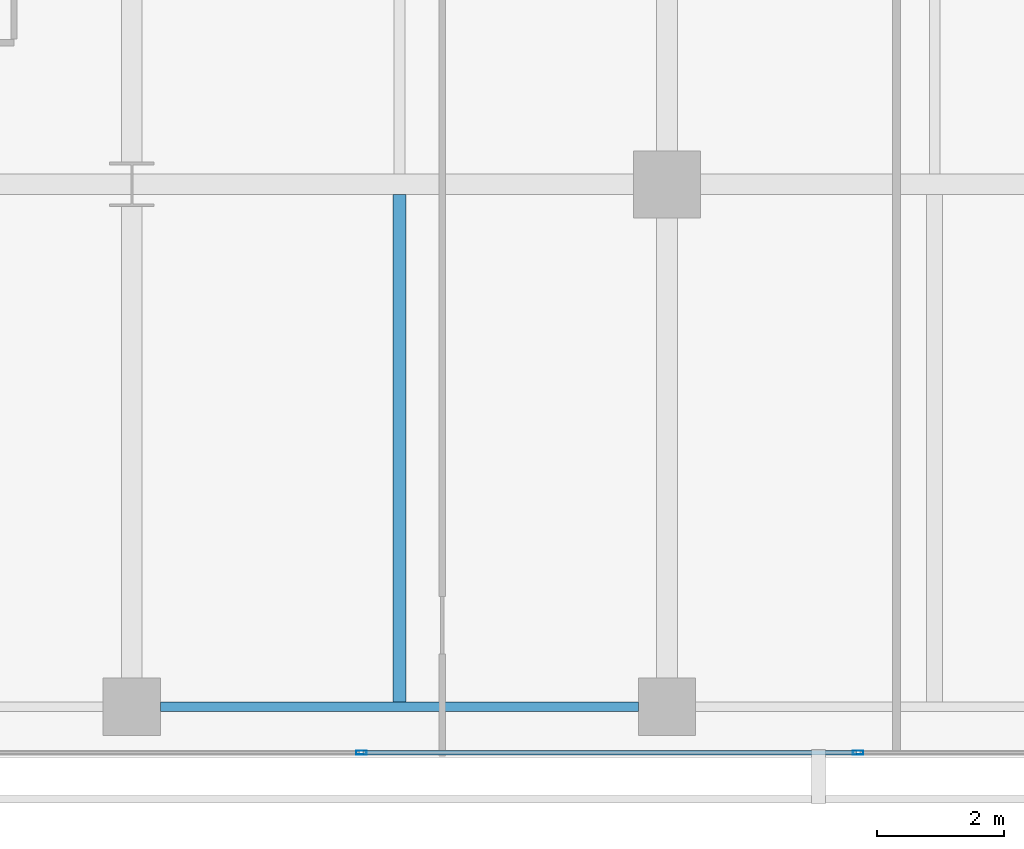
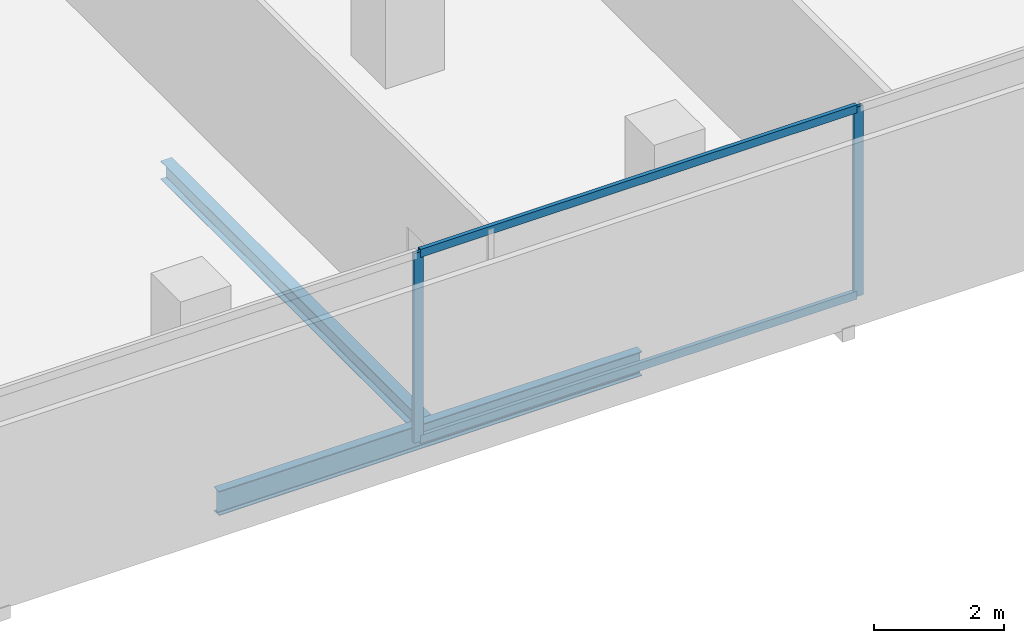
# One storey, part 14 of 39: 4 members, 2 beams, 1 element without a shape of its own.
"""IFC4 building model written with IfcOpenShell, lengths in metres."""

from ifc_helpers import new_model, si_unit, direction, frame, origin, origin_2d, place, context, subcontext, project, spatial, hollow_rectangle, i_section, extrude, material, layer, layer_set, material_profile, profile_set, type_object, element, aggregate, save


model = new_model("IFC4")

# Units and contexts
model_context = context("Model", 3, precision=1e-05, world=origin(), true_north=direction((0.0, 1.0)))
body_context = subcontext(model_context, "Body", "Model", "MODEL_VIEW")
ifc_project = project(units=[si_unit("LENGTHUNIT", "METRE"), si_unit("AREAUNIT", "SQUARE_METRE"), si_unit("VOLUMEUNIT", "CUBIC_METRE"), si_unit("PLANEANGLEUNIT", "RADIAN"), si_unit("MASSUNIT", "GRAM", prefix="KILO")], contexts=[model_context])

# Site, building, storey
site_placement = place(None, origin())
site = spatial("IfcSite", under=ifc_project, at=site_placement, CompositionType="ELEMENT")
building_placement = place(site_placement, origin())
building = spatial("IfcBuilding", under=site, at=building_placement, Name="Maruvema Waterfront Hotel and Observation Tower", CompositionType="ELEMENT")
storey_placement = place(building_placement, frame((0.0, 0.0, 111.64990234375)))
storey = spatial("IfcBuildingStorey", under=building, at=storey_placement, Name="L27", CompositionType="ELEMENT", Elevation=111.64990234375)

# Curtain wall, members
ifc_material_1 = material(Name="Anodised bronze aluminium and solar-control low-E IGU", Category="aluminium")
ifc_layer = layer(ifc_material_1, 0.159912109375, Name="Zone 1 Bronze Inner Thermal Curtain Wall System CW-02")
ifc_layer_set = layer_set([ifc_layer], Name="Anodised bronze aluminium and solar-control low-E IGU")
curtain_wall_type = type_object("IfcCurtainWallType", Name="Zone 1 Bronze Inner Thermal Curtain Wall System CW-02", PredefinedType="USERDEFINED", material=ifc_layer_set)
curtain_wall_placement = place(storey_placement, origin())
curtain_wall = element("IfcCurtainWall", 1, at=curtain_wall_placement, inside=storey, type_object=curtain_wall_type, Name="L27 Curtain Wall CW-L27-S", ObjectType="UNITISED CURTAIN WALL", PredefinedType="USERDEFINED")
ifc_material_2 = material(Name="Anodised architectural bronze aluminium", Category="aluminium")
ifc_material_profile_1 = material_profile(ifc_material_2, hollow_rectangle(XDim=0.070068359375, YDim=0.14990234375, WallThickness=0.00390625, at=origin_2d()), Name="ALU-T70x150")
ifc_profile_set_1 = profile_set([ifc_material_profile_1], Name="Anodised architectural bronze aluminium")
member_type_1 = type_object("IfcMemberType", Name="Curtain Wall Horizontal Transom ALU-T70x150", PredefinedType="USERDEFINED", material=ifc_profile_set_1)
member_1_placement = place(storey_placement, frame((45.6298828125, 0.080078125, 0.030029296875), z_axis=(1.0, 0.0, 0.0), x_axis=(0.0, 1.0, 0.0)))
member_1 = element("IfcMember", 2, at=member_1_placement, type_object=member_type_1, Name="CW-02 transom 5.1", ObjectType="TRANSOM", PredefinedType="USERDEFINED", context=body_context, shape_type="SweptSolid", body=[
    extrude(hollow_rectangle(XDim=0.070068359375, YDim=0.14990234375, WallThickness=0.00390625, at=origin_2d()), origin(), (0.0, 0.0, 1.0), 7.740234375),
])
member_2_placement = place(storey_placement, frame((45.6298828125, 0.080078125, 3.52001953125), z_axis=(1.0, 0.0, 0.0), x_axis=(0.0, 1.0, 0.0)))
member_2 = element("IfcMember", 3, at=member_2_placement, type_object=member_type_1, Name="CW-02 transom 5.2", ObjectType="TRANSOM", PredefinedType="USERDEFINED", context=body_context, shape_type="SweptSolid", body=[
    extrude(hollow_rectangle(XDim=0.070068359375, YDim=0.14990234375, WallThickness=0.00390625, at=origin_2d()), origin(), (0.0, 0.0, 1.0), 7.740234375),
])
ifc_material_3 = material(Name="Anodised architectural bronze aluminium", Category="aluminium")
ifc_material_profile_2 = material_profile(ifc_material_3, hollow_rectangle(XDim=0.06494140625, YDim=0.1650390625, WallThickness=0.00390625, at=origin_2d()), Name="ALU-M65x165")
ifc_profile_set_2 = profile_set([ifc_material_profile_2], Name="Anodised architectural bronze aluminium")
member_type_2 = type_object("IfcMemberType", Name="Curtain Wall Primary Mullion ALU-M65x165", PredefinedType="MULLION", material=ifc_profile_set_2)
member_3_placement = place(storey_placement, frame((45.60009765625, 0.080078125, 0.0), z_axis=(0.0, 0.0, 1.0), x_axis=(0.0, 1.0, 0.0)))
member_3 = element("IfcMember", 4, at=member_3_placement, type_object=member_type_2, Name="CW-02 mullion 5", PredefinedType="MULLION", context=body_context, shape_type="SweptSolid", body=[
    extrude(hollow_rectangle(XDim=0.06494140625, YDim=0.1650390625, WallThickness=0.00390625, at=origin_2d()), origin(), (0.0, 0.0, 1.0), 3.550048828125),
])
member_4_placement = place(storey_placement, frame((53.39990234375, 0.080078125, 0.0), z_axis=(0.0, 0.0, 1.0), x_axis=(0.0, 1.0, 0.0)))
member_4 = element("IfcMember", 5, at=member_4_placement, type_object=member_type_2, Name="CW-02 mullion 6", PredefinedType="MULLION", context=body_context, shape_type="SweptSolid", body=[
    extrude(hollow_rectangle(XDim=0.06494140625, YDim=0.1650390625, WallThickness=0.00390625, at=origin_2d()), origin(), (0.0, 0.0, 1.0), 3.550048828125),
])
aggregate(curtain_wall, [member_3, member_4, member_1, member_2])

# Beams
ifc_material_4 = material(Name="Steel ASTM A572 Grade 50", Category="steel")
ifc_material_profile_3 = material_profile(ifc_material_4, i_section(OverallWidth=0.153076171875, OverallDepth=0.455078125, WebThickness=0.008056640625, FlangeThickness=0.01318359375, FilletRadius=0.014892578125, at=origin_2d()), Name="W460x60.0")
ifc_profile_set_3 = profile_set([ifc_material_profile_3], Name="Steel ASTM A572 Grade 50")
beam_type_1 = type_object("IfcBeamType", Name="Perimeter Spandrel Beam W460x60.0", PredefinedType="SPANDREL", material=ifc_profile_set_3)
beam_1_placement = place(storey_placement, frame((42.449951171875, 0.800048828125, -0.46728515625), z_axis=(1.0, 0.0, 0.0), x_axis=(0.0, 1.0, 0.0)))
element("IfcBeam", 6, at=beam_1_placement, inside=storey, type_object=beam_type_1, Name="L27 Floor Girder EW-04", PredefinedType="SPANDREL", context=body_context, shape_type="SweptSolid", body=[
    extrude(i_section(OverallWidth=0.153076171875, OverallDepth=0.455078125, WebThickness=0.008056640625, FlangeThickness=0.01318359375, FilletRadius=0.014892578125, at=origin_2d()), origin(), (0.0, 0.0, 1.0), 7.5),
])
ifc_material_5 = material(Name="Steel ASTM A572 Grade 50", Category="steel")
ifc_material_profile_4 = material_profile(ifc_material_5, i_section(OverallWidth=0.202880859375, OverallDepth=0.346923828125, WebThickness=0.0078125, FlangeThickness=0.013427734375, FilletRadius=0.014892578125, at=origin_2d()), Name="W360x64.0")
ifc_profile_set_4 = profile_set([ifc_material_profile_4], Name="Steel ASTM A572 Grade 50")
beam_type_2 = type_object("IfcBeamType", Name="Secondary Floor Joist W360x64.0", PredefinedType="JOIST", material=ifc_profile_set_4)
beam_2_placement = place(storey_placement, frame((46.199951171875, 0.87646484375, -0.413330078125), z_axis=(0.0, 1.0, 0.0), x_axis=(-1.0, 0.0, 0.0)))
element("IfcBeam", 7, at=beam_2_placement, inside=storey, type_object=beam_type_2, Name="L27 Secondary Floor Joist JS-14", PredefinedType="JOIST", context=body_context, shape_type="SweptSolid", body=[
    extrude(i_section(OverallWidth=0.202880859375, OverallDepth=0.346923828125, WebThickness=0.0078125, FlangeThickness=0.013427734375, FilletRadius=0.014892578125, at=origin_2d()), origin(), (0.0, 0.0, 1.0), 7.96142578125),
])

save(model, "model.ifc")
